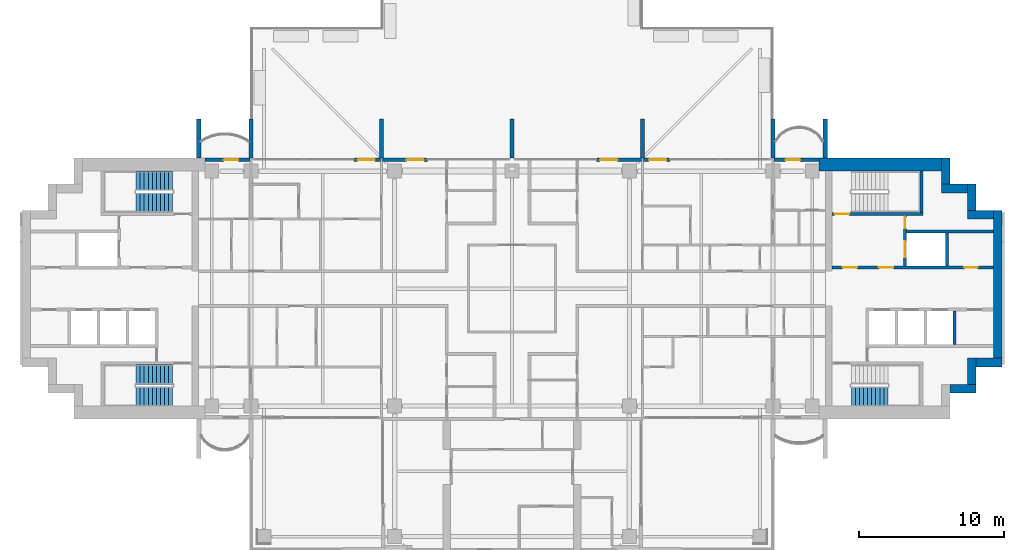
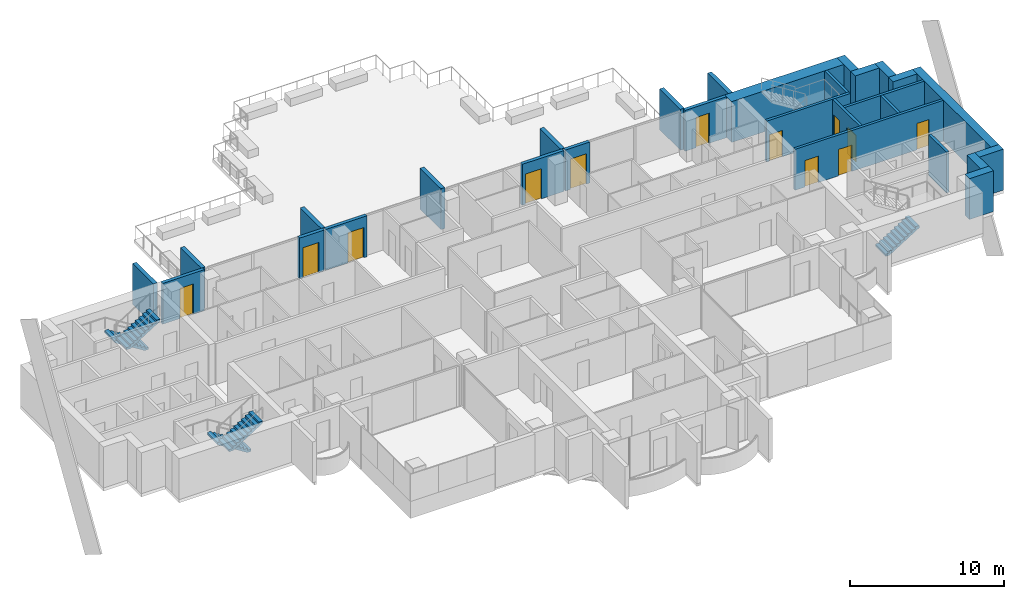
# One storey, part 13 of 18: 29 walls, 12 doors, 5 stair flights, 12 openings, 3 elements without a shape of their own.
"""IFC4 building model written with IfcOpenShell, lengths in metres."""

from ifc_helpers import new_model, si_unit, direction, frame, frame_2d, origin, place, context, subcontext, project, spatial, polyline, rectangle, outline, extrude, material, layer, layer_set, type_object, element, fill, aggregate, save


model = new_model("IFC4")

# Units and contexts
model_context = context("Model", 3, precision=1e-05, world=origin(), true_north=direction((0.0, 1.0)))
body_context = subcontext(model_context, "Body", "Model", "MODEL_VIEW")
ifc_project = project(units=[si_unit("LENGTHUNIT", "METRE"), si_unit("AREAUNIT", "SQUARE_METRE"), si_unit("VOLUMEUNIT", "CUBIC_METRE"), si_unit("PLANEANGLEUNIT", "RADIAN"), si_unit("MASSUNIT", "GRAM", prefix="KILO")], contexts=[model_context])

# Site, building, storey
site_placement = place(None, origin())
site = spatial("IfcSite", under=ifc_project, at=site_placement, CompositionType="ELEMENT")
building_placement = place(site_placement, origin())
building = spatial("IfcBuilding", under=site, at=building_placement, Name="Perihelion Cross Residences", CompositionType="ELEMENT")
storey_placement = place(building_placement, frame((0.0, 0.0, 166.60009765625)))
storey = spatial("IfcBuildingStorey", under=building, at=storey_placement, Name="L40", CompositionType="ELEMENT", Elevation=166.60009765625)

# Wall, opening, door
ifc_material_1 = material(Name="Concrete C30/37, bronze-clad", Category="concrete")
ifc_layer_1 = layer(ifc_material_1, 0.25)
ifc_layer_set_1 = layer_set([ifc_layer_1], Name="Bronze-clad pier wall 250")
wall_type_1 = type_object("IfcWallType", Name="Bronze-clad pier wall 250", PredefinedType="SOLIDWALL", material=ifc_layer_set_1)
wall_1_placement = place(storey_placement, frame((21.175048828125, 8.875, 0.0), z_axis=(0.0, 0.0, 1.0), x_axis=(-1.0, 0.0, 0.0)))
wall_1 = element("IfcWall", 1, at=wall_1_placement, inside=storey, type_object=wall_type_1, Name="Wall FW1 L40 east side north bay 1 pier", PredefinedType="SOLIDWALL", context=body_context, shape_type="SweptSolid", body=[
    extrude(rectangle(XDim=3.114990234375, YDim=0.25, at=frame_2d((1.5576171875, 0.0))), origin(), (0.0, 0.0, 1.0), 3.25),
])
opening_1_placement = place(wall_1_placement, frame((1.300048828125, 0.0, 0.0)))
opening_1 = element("IfcOpeningElement", 2, at=opening_1_placement, cuts=wall_1, Name="Opening L40.E01", PredefinedType="OPENING", context=body_context, shape_type="SweptSolid", body=[
    extrude(rectangle(XDim=1.0, YDim=2.39990234375, at=frame_2d((0.5, 1.199951171875))), frame((0.0, 0.135009765625, 0.0), z_axis=(0.0, -1.0, 0.0), x_axis=(1.0, 0.0, 0.0)), (0.0, 0.0, 1.0), 0.27001953125),
])
ifc_material_2 = material(Name="Bronze anodised aluminium, glazed", Category="aluminium")
door_type_1 = type_object("IfcDoorType", Name="Balcony door 1000 x 2400", OperationType="NOTDEFINED", PredefinedType="DOOR", material=ifc_material_2)
door_1_placement = place(opening_1_placement, origin())
door_1 = element("IfcDoor", 3, at=door_1_placement, inside=storey, type_object=door_type_1, Name="Door L40.E01 east side north bay 1", OperationType="SINGLE_SWING_LEFT", OverallHeight=2.39990234375, OverallWidth=1.0, PredefinedType="DOOR", context=body_context, shape_type="SweptSolid", body=[
    extrude(rectangle(XDim=1.0, YDim=2.39990234375, at=frame_2d((0.5, 1.199951171875))), frame((0.0, 0.02490234375, 0.0), z_axis=(0.0, -1.0, 0.0), x_axis=(1.0, 0.0, 0.0)), (0.0, 0.0, 1.0), 0.050048828125),
])
fill(opening_1, door_1)

wall_2_placement = place(storey_placement, frame((10.89990234375, 8.875, 0.0), z_axis=(0.0, 0.0, 1.0), x_axis=(-1.0, 0.0, 0.0)))
wall_2 = element("IfcWall", 4, at=wall_2_placement, inside=storey, type_object=wall_type_1, Name="Wall FW1 L40 east side north bay 2 pier", PredefinedType="SOLIDWALL", context=body_context, shape_type="SweptSolid", body=[
    extrude(rectangle(XDim=1.83984375, YDim=0.25, at=frame_2d((0.919921875, 0.0))), origin(), (0.0, 0.0, 1.0), 3.25),
])
opening_2_placement = place(wall_2_placement, frame((0.25, 0.0, 0.0)))
opening_2 = element("IfcOpeningElement", 5, at=opening_2_placement, cuts=wall_2, Name="Opening L40.E02", PredefinedType="OPENING", context=body_context, shape_type="SweptSolid", body=[
    extrude(rectangle(XDim=1.199951171875, YDim=2.39990234375, at=frame_2d((0.60009765625, 1.199951171875))), frame((0.0, 0.135009765625, 0.0), z_axis=(0.0, -1.0, 0.0), x_axis=(1.0, 0.0, 0.0)), (0.0, 0.0, 1.0), 0.27001953125),
])
ifc_material_3 = material(Name="Bronze anodised aluminium, glazed", Category="aluminium")
door_type_2 = type_object("IfcDoorType", Name="Balcony door 1200 x 2400", OperationType="NOTDEFINED", PredefinedType="DOOR", material=ifc_material_3)
door_2_placement = place(opening_2_placement, origin())
door_2 = element("IfcDoor", 6, at=door_2_placement, inside=storey, type_object=door_type_2, Name="Door L40.E02 east side north bay 2", OperationType="SINGLE_SWING_RIGHT", OverallHeight=2.39990234375, OverallWidth=1.199951171875, PredefinedType="DOOR", context=body_context, shape_type="SweptSolid", body=[
    extrude(rectangle(XDim=1.199951171875, YDim=2.39990234375, at=frame_2d((0.60009765625, 1.199951171875))), frame((0.0, 0.02490234375, 0.0), z_axis=(0.0, -1.0, 0.0), x_axis=(1.0, 0.0, 0.0)), (0.0, 0.0, 1.0), 0.050048828125),
])
fill(opening_2, door_2)

wall_3_placement = place(storey_placement, frame((8.93994140625, 8.875, 0.0), z_axis=(0.0, 0.0, 1.0), x_axis=(-1.0, 0.0, 0.0)))
wall_3 = element("IfcWall", 7, at=wall_3_placement, inside=storey, type_object=wall_type_1, Name="Wall FW1 L40 north side east bay 1 pier", PredefinedType="SOLIDWALL", context=body_context, shape_type="SweptSolid", body=[
    extrude(rectangle(XDim=3.114990234375, YDim=0.25, at=frame_2d((1.5576171875, 0.0))), origin(), (0.0, 0.0, 1.0), 3.25),
])
opening_3_placement = place(wall_3_placement, frame((1.6650390625, 0.0, 0.0)))
opening_3 = element("IfcOpeningElement", 8, at=opening_3_placement, cuts=wall_3, Name="Opening L40.E03", PredefinedType="OPENING", context=body_context, shape_type="SweptSolid", body=[
    extrude(rectangle(XDim=1.199951171875, YDim=2.39990234375, at=frame_2d((0.60009765625, 1.199951171875))), frame((0.0, 0.135009765625, 0.0), z_axis=(0.0, -1.0, 0.0), x_axis=(1.0, 0.0, 0.0)), (0.0, 0.0, 1.0), 0.27001953125),
])
door_3_placement = place(opening_3_placement, origin())
door_3 = element("IfcDoor", 9, at=door_3_placement, inside=storey, type_object=door_type_2, Name="Door L40.E03 north side east bay 1", OperationType="SINGLE_SWING_LEFT", OverallHeight=2.39990234375, OverallWidth=1.199951171875, PredefinedType="DOOR", context=body_context, shape_type="SweptSolid", body=[
    extrude(rectangle(XDim=1.199951171875, YDim=2.39990234375, at=frame_2d((0.60009765625, 1.199951171875))), frame((0.0, 0.02490234375, 0.0), z_axis=(0.0, -1.0, 0.0), x_axis=(1.0, 0.0, 0.0)), (0.0, 0.0, 1.0), 0.050048828125),
])
fill(opening_3, door_3)

wall_4_placement = place(storey_placement, frame((-5.824951171875, 8.875, 0.0), z_axis=(0.0, 0.0, 1.0), x_axis=(-1.0, 0.0, 0.0)))
wall_4 = element("IfcWall", 10, at=wall_4_placement, inside=storey, type_object=wall_type_1, Name="Wall FW1 L40 north side east bay 2 pier", PredefinedType="SOLIDWALL", context=body_context, shape_type="SweptSolid", body=[
    extrude(rectangle(XDim=3.114990234375, YDim=0.25, at=frame_2d((1.5576171875, 0.0))), origin(), (0.0, 0.0, 1.0), 3.25),
])
opening_4_placement = place(wall_4_placement, frame((0.25, 0.0, 0.0)))
opening_4 = element("IfcOpeningElement", 11, at=opening_4_placement, cuts=wall_4, Name="Opening L40.E04", PredefinedType="OPENING", context=body_context, shape_type="SweptSolid", body=[
    extrude(rectangle(XDim=1.199951171875, YDim=2.39990234375, at=frame_2d((0.60009765625, 1.199951171875))), frame((0.0, 0.135009765625, 0.0), z_axis=(0.0, -1.0, 0.0), x_axis=(1.0, 0.0, 0.0)), (0.0, 0.0, 1.0), 0.27001953125),
])
door_4_placement = place(opening_4_placement, origin())
door_4 = element("IfcDoor", 12, at=door_4_placement, inside=storey, type_object=door_type_2, Name="Door L40.E04 north side east bay 2", OperationType="SINGLE_SWING_RIGHT", OverallHeight=2.39990234375, OverallWidth=1.199951171875, PredefinedType="DOOR", context=body_context, shape_type="SweptSolid", body=[
    extrude(rectangle(XDim=1.199951171875, YDim=2.39990234375, at=frame_2d((0.60009765625, 1.199951171875))), frame((0.0, 0.02490234375, 0.0), z_axis=(0.0, -1.0, 0.0), x_axis=(1.0, 0.0, 0.0)), (0.0, 0.0, 1.0), 0.050048828125),
])
fill(opening_4, door_4)

wall_5_placement = place(storey_placement, frame((-9.06005859375, 8.875, 0.0), z_axis=(0.0, 0.0, 1.0), x_axis=(-1.0, 0.0, 0.0)))
wall_5 = element("IfcWall", 13, at=wall_5_placement, inside=storey, type_object=wall_type_1, Name="Wall FW1 L40 west side north bay 1 pier", PredefinedType="SOLIDWALL", context=body_context, shape_type="SweptSolid", body=[
    extrude(rectangle(XDim=1.83984375, YDim=0.25, at=frame_2d((0.919921875, 0.0))), origin(), (0.0, 0.0, 1.0), 3.25),
])
opening_5_placement = place(wall_5_placement, frame((0.389892578125, 0.0, 0.0)))
opening_5 = element("IfcOpeningElement", 14, at=opening_5_placement, cuts=wall_5, Name="Opening L40.E05", PredefinedType="OPENING", context=body_context, shape_type="SweptSolid", body=[
    extrude(rectangle(XDim=1.199951171875, YDim=2.39990234375, at=frame_2d((0.60009765625, 1.199951171875))), frame((0.0, 0.135009765625, 0.0), z_axis=(0.0, -1.0, 0.0), x_axis=(1.0, 0.0, 0.0)), (0.0, 0.0, 1.0), 0.27001953125),
])
door_5_placement = place(opening_5_placement, origin())
door_5 = element("IfcDoor", 15, at=door_5_placement, inside=storey, type_object=door_type_2, Name="Door L40.E05 west side north bay 1", OperationType="SINGLE_SWING_LEFT", OverallHeight=2.39990234375, OverallWidth=1.199951171875, PredefinedType="DOOR", context=body_context, shape_type="SweptSolid", body=[
    extrude(rectangle(XDim=1.199951171875, YDim=2.39990234375, at=frame_2d((0.60009765625, 1.199951171875))), frame((0.0, 0.02490234375, 0.0), z_axis=(0.0, -1.0, 0.0), x_axis=(1.0, 0.0, 0.0)), (0.0, 0.0, 1.0), 0.050048828125),
])
fill(opening_5, door_5)

wall_6_placement = place(storey_placement, frame((-18.06005859375, 8.875, 0.0), z_axis=(0.0, 0.0, 1.0), x_axis=(-1.0, 0.0, 0.0)))
wall_6 = element("IfcWall", 16, at=wall_6_placement, inside=storey, type_object=wall_type_1, Name="Wall FW1 L40 west side north bay 2 pier", PredefinedType="SOLIDWALL", context=body_context, shape_type="SweptSolid", body=[
    extrude(rectangle(XDim=3.114990234375, YDim=0.25, at=frame_2d((1.5576171875, 0.0))), origin(), (0.0, 0.0, 1.0), 3.25),
])
opening_6_placement = place(wall_6_placement, frame((0.81494140625, 0.0, 0.0)))
opening_6 = element("IfcOpeningElement", 17, at=opening_6_placement, cuts=wall_6, Name="Opening L40.E06", PredefinedType="OPENING", context=body_context, shape_type="SweptSolid", body=[
    extrude(rectangle(XDim=1.0, YDim=2.39990234375, at=frame_2d((0.5, 1.199951171875))), frame((0.0, 0.135009765625, 0.0), z_axis=(0.0, -1.0, 0.0), x_axis=(1.0, 0.0, 0.0)), (0.0, 0.0, 1.0), 0.27001953125),
])
door_6_placement = place(opening_6_placement, origin())
door_6 = element("IfcDoor", 18, at=door_6_placement, inside=storey, type_object=door_type_1, Name="Door L40.E06 west side north bay 2", OperationType="SINGLE_SWING_RIGHT", OverallHeight=2.39990234375, OverallWidth=1.0, PredefinedType="DOOR", context=body_context, shape_type="SweptSolid", body=[
    extrude(rectangle(XDim=1.0, YDim=2.39990234375, at=frame_2d((0.5, 1.199951171875))), frame((0.0, 0.02490234375, 0.0), z_axis=(0.0, -1.0, 0.0), x_axis=(1.0, 0.0, 0.0)), (0.0, 0.0, 1.0), 0.050048828125),
])
fill(opening_6, door_6)

# Walls
ifc_material_4 = material(Name="Concrete C60/75", Category="concrete")
ifc_layer_2 = layer(ifc_material_4, 0.60009765625)
ifc_layer_set_2 = layer_set([ifc_layer_2], Name="Core wall, outer 600")
wall_type_2 = type_object("IfcWallType", Name="Core wall, outer 600", PredefinedType="SHEAR", material=ifc_layer_set_2)
for number, where, z_axis, x_axis, name in (
    (19, (30.199951171875, -6.89990234375, 0.0), (0.0, 0.0, 1.0), (1.0, 0.0, 0.0), "East core core wall, outer"),
    (20, (31.699951171875, -6.60009765625, 0.0), (0.0, 0.0, 1.0), (0.0, 1.0, 0.0), "East core core wall, outer"),
    (21, (32.0, -5.10009765625, 0.0), (0.0, 0.0, 1.0), (1.0, 0.0, 0.0), "East core core wall, outer"),
):
    element("IfcWall", number, at=place(storey_placement, frame(where, z_axis=z_axis, x_axis=x_axis)), inside=storey, type_object=wall_type_2, Name=name, PredefinedType="SHEAR", context=body_context, shape_type="SweptSolid", body=[
        extrude(rectangle(XDim=1.800048828125, YDim=0.60009765625, at=frame_2d((0.89990234375, 0.0))), origin(), (0.0, 0.0, 1.0), 3.25),
    ])
wall_7_placement = place(storey_placement, frame((33.5, -4.800048828125, 0.0), z_axis=(0.0, 0.0, 1.0), x_axis=(0.0, 1.0, 0.0)))
element("IfcWall", 22, at=wall_7_placement, inside=storey, type_object=wall_type_2, Name="East core core wall, outer", PredefinedType="SHEAR", context=body_context, shape_type="SweptSolid", body=[
    extrude(rectangle(XDim=10.199951171875, YDim=0.60009765625, at=frame_2d((5.10009765625, 0.0))), origin(), (0.0, 0.0, 1.0), 3.25),
])
for number, where, z_axis, x_axis, name in (
    (23, (31.39990234375, 5.10009765625, 0.0), (0.0, 0.0, 1.0), (1.0, 0.0, 0.0), "East core core wall, outer"),
    (24, (31.699951171875, 5.39990234375, 0.0), (0.0, 0.0, 1.0), (0.0, 1.0, 0.0), "East core core wall, outer"),
):
    element("IfcWall", number, at=place(storey_placement, frame(where, z_axis=z_axis, x_axis=x_axis)), inside=storey, type_object=wall_type_2, Name=name, PredefinedType="SHEAR", context=body_context, shape_type="SweptSolid", body=[
        extrude(rectangle(XDim=1.800048828125, YDim=0.60009765625, at=frame_2d((0.89990234375, 0.0))), origin(), (0.0, 0.0, 1.0), 3.25),
    ])
wall_8_placement = place(storey_placement, frame((29.60009765625, 6.89990234375, 0.0), z_axis=(0.0, 0.0, 1.0), x_axis=(1.0, 0.0, 0.0)))
element("IfcWall", 25, at=wall_8_placement, inside=storey, type_object=wall_type_2, Name="East core core wall, outer", PredefinedType="SHEAR", context=body_context, shape_type="SweptSolid", body=[
    extrude(rectangle(XDim=1.7998046875, YDim=0.60009765625, at=frame_2d((0.89990234375, 0.0))), origin(), (0.0, 0.0, 1.0), 3.25),
])
wall_9_placement = place(storey_placement, frame((29.89990234375, 7.199951171875, 0.0), z_axis=(0.0, 0.0, 1.0), x_axis=(0.0, 1.0, 0.0)))
element("IfcWall", 26, at=wall_9_placement, inside=storey, type_object=wall_type_2, Name="East core core wall, outer", PredefinedType="SHEAR", context=body_context, shape_type="SweptSolid", body=[
    extrude(rectangle(XDim=1.800048828125, YDim=0.60009765625, at=frame_2d((0.89990234375, 0.0))), origin(), (0.0, 0.0, 1.0), 3.25),
])
ifc_material_5 = material(Name="Concrete C60/75", Category="concrete")
ifc_layer_3 = layer(ifc_material_5, 0.89990234375)
ifc_layer_set_3 = layer_set([ifc_layer_3], Name="Core wall, outer 900")
wall_type_3 = type_object("IfcWallType", Name="Core wall, outer 900", PredefinedType="SHEAR", material=ifc_layer_set_3)
wall_10_placement = place(storey_placement, frame((21.175048828125, 8.550048828125, 0.0), z_axis=(0.0, 0.0, 1.0), x_axis=(1.0, 0.0, 0.0)))
element("IfcWall", 27, at=wall_10_placement, inside=storey, type_object=wall_type_3, Name="East core core wall, outer", PredefinedType="SHEAR", context=body_context, shape_type="SweptSolid", body=[
    extrude(rectangle(XDim=8.425048828125, YDim=0.89990234375, at=frame_2d((4.21240234375, 0.0))), origin(), (0.0, 0.0, 1.0), 3.25),
])
ifc_material_6 = material(Name="Precast concrete C50/60", Category="concrete")
ifc_layer_4 = layer(ifc_material_6, 0.300048828125)
ifc_layer_set_4 = layer_set([ifc_layer_4], Name="Precast concrete C50/60 blade wall 300")
wall_type_4 = type_object("IfcWallType", Name="Precast concrete C50/60 blade wall 300", PredefinedType="SOLIDWALL", material=ifc_layer_set_4)
for number, where, z_axis, x_axis, name in (
    (28, (-21.60009765625, 9.0, 0.0), (0.0, 0.0, 1.0), (0.0, 1.0, 0.0), "Wall BL1 L40 no. 4"),
    (29, (-18.0, 9.0, 0.0), (0.0, 0.0, 1.0), (0.0, 1.0, 0.0), "Wall BL1 L40 no. 2"),
    (30, (-9.0, 9.0, 0.0), (0.0, 0.0, 1.0), (0.0, 1.0, 0.0), "Wall BL1 L40 no. 7"),
    (31, (0.0, 9.0, 0.0), (0.0, 0.0, 1.0), (0.0, 1.0, 0.0), "Wall BL1 L40 no. 9"),
    (32, (9.0, 9.0, 0.0), (0.0, 0.0, 1.0), (0.0, 1.0, 0.0), "Wall BL1 L40 no. 16"),
    (33, (18.0, 9.0, 0.0), (0.0, 0.0, 1.0), (0.0, 1.0, 0.0), "Wall BL1 L40 no. 11"),
    (34, (21.60009765625, 9.0, 0.0), (0.0, 0.0, 1.0), (0.0, 1.0, 0.0), "Wall BL1 L40 no. 13"),
):
    element("IfcWall", number, at=place(storey_placement, frame(where, z_axis=z_axis, x_axis=x_axis)), inside=storey, type_object=wall_type_4, Name=name, PredefinedType="SOLIDWALL", context=body_context, shape_type="SweptSolid", body=[
        extrude(rectangle(XDim=2.699951171875, YDim=0.300048828125, at=frame_2d((1.35009765625, 0.0))), origin(), (0.0, 0.0, 1.0), 3.25),
    ])

# Wall, openings, doors
ifc_material_7 = material(Name="Concrete C50/60", Category="concrete")
ifc_layer_5 = layer(ifc_material_7, 0.199951171875)
ifc_layer_set_5 = layer_set([ifc_layer_5], Name="Shaft wall 200")
wall_type_5 = type_object("IfcWallType", Name="Shaft wall 200", PredefinedType="SOLIDWALL", material=ifc_layer_set_5)
wall_11_placement = place(storey_placement, frame((22.050048828125, 1.449951171875, 0.0), z_axis=(0.0, 0.0, 1.0), x_axis=(1.0, 0.0, 0.0)))
wall_11 = element("IfcWall", 35, at=wall_11_placement, inside=storey, type_object=wall_type_5, Name="East core shaft wall", PredefinedType="SOLIDWALL", context=body_context, shape_type="SweptSolid", body=[
    extrude(rectangle(XDim=11.14990234375, YDim=0.199951171875, at=frame_2d((5.574951171875, 0.0))), origin(), (0.0, 0.0, 1.0), 3.25),
])
opening_7_placement = place(wall_11_placement, frame((0.75, 0.0, 0.0)))
opening_7 = element("IfcOpeningElement", 36, at=opening_7_placement, cuts=wall_11, Name="Opening L40.C07", PredefinedType="OPENING", context=body_context, shape_type="SweptSolid", body=[
    extrude(rectangle(XDim=1.0, YDim=2.10009765625, at=frame_2d((0.5, 1.050048828125))), frame((0.0, 0.10986328125, 0.0), z_axis=(0.0, -1.0, 0.0), x_axis=(1.0, 0.0, 0.0)), (0.0, 0.0, 1.0), 0.219970703125),
])
opening_8_placement = place(wall_11_placement, frame((3.25, 0.0, 0.0)))
opening_8 = element("IfcOpeningElement", 37, at=opening_8_placement, cuts=wall_11, Name="Opening L40.C09", PredefinedType="OPENING", context=body_context, shape_type="SweptSolid", body=[
    extrude(rectangle(XDim=1.0, YDim=2.10009765625, at=frame_2d((0.5, 1.050048828125))), frame((0.0, 0.10986328125, 0.0), z_axis=(0.0, -1.0, 0.0), x_axis=(1.0, 0.0, 0.0)), (0.0, 0.0, 1.0), 0.219970703125),
])
opening_9_placement = place(wall_11_placement, frame((9.14990234375, 0.0, 0.0)))
opening_9 = element("IfcOpeningElement", 38, at=opening_9_placement, cuts=wall_11, Name="Opening L40.C11", PredefinedType="OPENING", context=body_context, shape_type="SweptSolid", body=[
    extrude(rectangle(XDim=0.89990234375, YDim=2.10009765625, at=frame_2d((0.449951171875, 1.050048828125))), frame((0.0, 0.10986328125, 0.0), z_axis=(0.0, -1.0, 0.0), x_axis=(1.0, 0.0, 0.0)), (0.0, 0.0, 1.0), 0.219970703125),
])
ifc_material_8 = material(Name="Steel, powder coated", Category="steel")
door_type_3 = type_object("IfcDoorType", Name="Lobby door 1000", OperationType="SINGLE_SWING_LEFT", PredefinedType="DOOR", material=ifc_material_8)
door_7_placement = place(opening_7_placement, origin())
door_7 = element("IfcDoor", 39, at=door_7_placement, inside=storey, type_object=door_type_3, Name="East core firefighting lobby door", OperationType="SINGLE_SWING_LEFT", OverallHeight=2.10009765625, OverallWidth=1.0, PredefinedType="DOOR", context=body_context, shape_type="SweptSolid", body=[
    extrude(rectangle(XDim=1.0, YDim=2.10009765625, at=frame_2d((0.5, 1.050048828125))), frame((0.0, 0.02490234375, 0.0), z_axis=(0.0, -1.0, 0.0), x_axis=(1.0, 0.0, 0.0)), (0.0, 0.0, 1.0), 0.050048828125),
])
fill(opening_7, door_7)
door_8_placement = place(opening_8_placement, origin())
door_8 = element("IfcDoor", 40, at=door_8_placement, inside=storey, type_object=door_type_3, Name="East core firefighting lobby door", OperationType="SINGLE_SWING_LEFT", OverallHeight=2.10009765625, OverallWidth=1.0, PredefinedType="DOOR", context=body_context, shape_type="SweptSolid", body=[
    extrude(rectangle(XDim=1.0, YDim=2.10009765625, at=frame_2d((0.5, 1.050048828125))), frame((0.0, 0.02490234375, 0.0), z_axis=(0.0, -1.0, 0.0), x_axis=(1.0, 0.0, 0.0)), (0.0, 0.0, 1.0), 0.050048828125),
])
fill(opening_8, door_8)
ifc_material_9 = material(Name="Steel, powder coated", Category="steel")
door_type_4 = type_object("IfcDoorType", Name="Service room door 900", OperationType="SINGLE_SWING_LEFT", PredefinedType="DOOR", material=ifc_material_9)
door_9_placement = place(opening_9_placement, origin())
door_9 = element("IfcDoor", 41, at=door_9_placement, inside=storey, type_object=door_type_4, Name="East core service room door", OperationType="SINGLE_SWING_LEFT", OverallHeight=2.10009765625, OverallWidth=0.89990234375, PredefinedType="DOOR", context=body_context, shape_type="SweptSolid", body=[
    extrude(rectangle(XDim=0.89990234375, YDim=2.10009765625, at=frame_2d((0.449951171875, 1.050048828125))), frame((0.0, 0.02490234375, 0.0), z_axis=(0.0, -1.0, 0.0), x_axis=(1.0, 0.0, 0.0)), (0.0, 0.0, 1.0), 0.050048828125),
])
fill(opening_9, door_9)

# Wall
wall_12_placement = place(storey_placement, frame((27.199951171875, 3.949951171875, 0.0), z_axis=(0.0, 0.0, 1.0), x_axis=(1.0, 0.0, 0.0)))
element("IfcWall", 42, at=wall_12_placement, inside=storey, type_object=wall_type_5, Name="East core shaft wall", PredefinedType="SOLIDWALL", context=body_context, shape_type="SweptSolid", body=[
    extrude(rectangle(XDim=6.0, YDim=0.199951171875, at=frame_2d((3.0, 0.0))), origin(), (0.0, 0.0, 1.0), 3.25),
])

# Wall, openings, doors
wall_13_placement = place(storey_placement, frame((27.10009765625, 1.550048828125, 0.0), z_axis=(0.0, 0.0, 1.0), x_axis=(0.0, 1.0, 0.0)))
wall_13 = element("IfcWall", 43, at=wall_13_placement, inside=storey, type_object=wall_type_5, Name="East core shaft wall", PredefinedType="SOLIDWALL", context=body_context, shape_type="SweptSolid", body=[
    extrude(rectangle(XDim=3.5, YDim=0.199951171875, at=frame_2d((1.75, 0.0))), origin(), (0.0, 0.0, 1.0), 3.25),
])
opening_10_placement = place(wall_13_placement, frame((0.60009765625, 0.0, 0.0)))
opening_10 = element("IfcOpeningElement", 44, at=opening_10_placement, cuts=wall_13, Name="Opening L40.C02", PredefinedType="OPENING", context=body_context, shape_type="SweptSolid", body=[
    extrude(rectangle(XDim=1.10009765625, YDim=2.10009765625, at=frame_2d((0.550048828125, 1.050048828125))), frame((0.0, 0.10986328125, 0.0), z_axis=(0.0, -1.0, 0.0), x_axis=(1.0, 0.0, 0.0)), (0.0, 0.0, 1.0), 0.219970703125),
])
opening_11_placement = place(wall_13_placement, frame((2.60009765625, 0.0, 0.0)))
opening_11 = element("IfcOpeningElement", 45, at=opening_11_placement, cuts=wall_13, Name="Opening L40.C10", PredefinedType="OPENING", context=body_context, shape_type="SweptSolid", body=[
    extrude(rectangle(XDim=0.800048828125, YDim=2.10009765625, at=frame_2d((0.39990234375, 1.050048828125))), frame((0.0, 0.10986328125, 0.0), z_axis=(0.0, -1.0, 0.0), x_axis=(1.0, 0.0, 0.0)), (0.0, 0.0, 1.0), 0.219970703125),
])
ifc_material_10 = material(Name="Stainless steel", Category="steel")
door_type_5 = type_object("IfcDoorType", Name="Landing door, firefighting lift 1100", OperationType="DOUBLE_DOOR_SLIDING", PredefinedType="DOOR", material=ifc_material_10)
door_10_placement = place(opening_10_placement, origin())
door_10 = element("IfcDoor", 46, at=door_10_placement, inside=storey, type_object=door_type_5, Name="Landing door, East core firefighting and service lift", OperationType="DOUBLE_DOOR_SLIDING", OverallHeight=2.10009765625, OverallWidth=1.10009765625, PredefinedType="DOOR", context=body_context, shape_type="SweptSolid", body=[
    extrude(rectangle(XDim=1.10009765625, YDim=2.10009765625, at=frame_2d((0.550048828125, 1.050048828125))), frame((0.0, 0.02490234375, 0.0), z_axis=(0.0, -1.0, 0.0), x_axis=(1.0, 0.0, 0.0)), (0.0, 0.0, 1.0), 0.050048828125),
])
fill(opening_10, door_10)
ifc_material_11 = material(Name="Steel, powder coated", Category="steel")
door_type_6 = type_object("IfcDoorType", Name="Riser door 800", OperationType="SINGLE_SWING_LEFT", PredefinedType="DOOR", material=ifc_material_11)
door_11_placement = place(opening_11_placement, origin())
door_11 = element("IfcDoor", 47, at=door_11_placement, inside=storey, type_object=door_type_6, Name="East core riser door", OperationType="SINGLE_SWING_LEFT", OverallHeight=2.10009765625, OverallWidth=0.800048828125, PredefinedType="DOOR", context=body_context, shape_type="SweptSolid", body=[
    extrude(rectangle(XDim=0.800048828125, YDim=2.10009765625, at=frame_2d((0.39990234375, 1.050048828125))), frame((0.0, 0.02490234375, 0.0), z_axis=(0.0, -1.0, 0.0), x_axis=(1.0, 0.0, 0.0)), (0.0, 0.0, 1.0), 0.050048828125),
])
fill(opening_11, door_11)

# Walls
for number, where, z_axis, x_axis, name in (
    (48, (30.0, 1.550048828125, 0.0), (0.0, 0.0, 1.0), (0.0, 1.0, 0.0), "East core shaft wall"),
    (49, (30.5, -3.85009765625, 0.0), (0.0, 0.0, 1.0), (0.0, 1.0, 0.0), "East core shaft wall"),
):
    element("IfcWall", number, at=place(storey_placement, frame(where, z_axis=z_axis, x_axis=x_axis)), inside=storey, type_object=wall_type_5, Name=name, PredefinedType="SOLIDWALL", context=body_context, shape_type="SweptSolid", body=[
        extrude(rectangle(XDim=2.300048828125, YDim=0.199951171875, at=frame_2d((1.14990234375, 0.0))), origin(), (0.0, 0.0, 1.0), 3.25),
    ])

# Wall, opening, door
ifc_material_12 = material(Name="Concrete C50/60", Category="concrete")
ifc_layer_6 = layer(ifc_material_12, 0.199951171875)
ifc_layer_set_6 = layer_set([ifc_layer_6], Name="Stair wall 200")
wall_type_6 = type_object("IfcWallType", Name="Stair wall 200", PredefinedType="SOLIDWALL", material=ifc_layer_set_6)
wall_14_placement = place(storey_placement, frame((22.050048828125, 5.14990234375, 0.0), z_axis=(0.0, 0.0, 1.0), x_axis=(1.0, 0.0, 0.0)))
wall_14 = element("IfcWall", 50, at=wall_14_placement, inside=storey, type_object=wall_type_6, Name="East core stair wall", PredefinedType="SOLIDWALL", context=body_context, shape_type="SweptSolid", body=[
    extrude(rectangle(XDim=6.300048828125, YDim=0.199951171875, at=frame_2d((3.14990234375, 0.0))), origin(), (0.0, 0.0, 1.0), 3.25),
])
opening_12_placement = place(wall_14_placement, frame((0.199951171875, 0.0, 0.0)))
opening_12 = element("IfcOpeningElement", 51, at=opening_12_placement, cuts=wall_14, Name="Opening L40.C06", PredefinedType="OPENING", context=body_context, shape_type="SweptSolid", body=[
    extrude(rectangle(XDim=1.0, YDim=2.10009765625, at=frame_2d((0.5, 1.050048828125))), frame((0.0, 0.10986328125, 0.0), z_axis=(0.0, -1.0, 0.0), x_axis=(1.0, 0.0, 0.0)), (0.0, 0.0, 1.0), 0.219970703125),
])
ifc_material_13 = material(Name="Steel, powder coated", Category="steel")
door_type_7 = type_object("IfcDoorType", Name="Stair door 1000", OperationType="SINGLE_SWING_LEFT", PredefinedType="DOOR", material=ifc_material_13)
door_12_placement = place(opening_12_placement, origin())
door_12 = element("IfcDoor", 52, at=door_12_placement, inside=storey, type_object=door_type_7, Name="East core stair door", OperationType="SINGLE_SWING_LEFT", OverallHeight=2.10009765625, OverallWidth=1.0, PredefinedType="DOOR", context=body_context, shape_type="SweptSolid", body=[
    extrude(rectangle(XDim=1.0, YDim=2.10009765625, at=frame_2d((0.5, 1.050048828125))), frame((0.0, 0.02490234375, 0.0), z_axis=(0.0, -1.0, 0.0), x_axis=(1.0, 0.0, 0.0)), (0.0, 0.0, 1.0), 0.050048828125),
])
fill(opening_12, door_12)

# Wall
wall_15_placement = place(storey_placement, frame((28.25, 5.25, 0.0), z_axis=(0.0, 0.0, 1.0), x_axis=(0.0, 1.0, 0.0)))
element("IfcWall", 53, at=wall_15_placement, inside=storey, type_object=wall_type_6, Name="East core stair wall", PredefinedType="SOLIDWALL", context=body_context, shape_type="SweptSolid", body=[
    extrude(rectangle(XDim=2.85009765625, YDim=0.199951171875, at=frame_2d((1.425048828125, 0.0))), origin(), (0.0, 0.0, 1.0), 3.25),
])

# Stair, stair flight
ifc_material_14 = material(Name="Concrete C40/50", Category="concrete")
stair_type = type_object("IfcStairType", Name="Exit stair, half-turn", PredefinedType="HALF_TURN_STAIR", material=ifc_material_14)
stair_1_placement = place(storey_placement, origin())
stair_1 = element("IfcStair", 54, at=stair_1_placement, inside=storey, type_object=stair_type, Name="L40 East core exit stair 2", PredefinedType="HALF_TURN_STAIR")
ifc_material_15 = material(Name="Concrete C40/50", Category="concrete")
stair_flight_type = type_object("IfcStairFlightType", Name="Exit stair flight", PredefinedType="STRAIGHT", material=ifc_material_15)
stair_flight_1_placement = place(storey_placement, frame((23.39990234375, -7.425048828125, 0.0), z_axis=(0.0, 0.0, 1.0), x_axis=(1.0, 0.0, 0.0)))
stair_flight_1 = element("IfcStairFlight", 55, at=stair_flight_1_placement, type_object=stair_flight_type, Name="ST-E2 flight 1", NumberOfRisers=10, NumberOfTreads=9, PredefinedType="STRAIGHT", RiserHeight=0.175, TreadLength=0.28, context=body_context, shape_type="SweptSolid", body=[
    extrude(outline(polyline([(0.0, 0.0), (0.0, 0.175048828125), (0.280029296875, 0.175048828125), (0.280029296875, 0.35009765625), (0.56005859375, 0.35009765625), (0.56005859375, 0.52490234375), (0.840087890625, 0.52490234375), (0.840087890625, 0.699951171875), (1.1201171875, 0.699951171875), (1.1201171875, 0.875), (1.39990234375, 0.875), (1.39990234375, 1.050048828125), (1.679931640625, 1.050048828125), (1.679931640625, 1.22509765625), (1.9599609375, 1.22509765625), (1.9599609375, 1.39990234375), (2.239990234375, 1.39990234375), (2.239990234375, 1.574951171875), (2.52001953125, 1.574951171875), (2.52001953125, 1.75), (2.52001953125, 1.398193359375), (0.28271484375, 0.0), (0.0, 0.0)])), frame((0.0, 0.675048828125, 0.0), z_axis=(0.0, -1.0, 0.0), x_axis=(1.0, 0.0, 0.0)), (0.0, 0.0, 1.0), 1.35009765625),
])
aggregate(stair_1, [stair_flight_1])

# Stair, stair flights
stair_2_placement = place(storey_placement, origin())
stair_2 = element("IfcStair", 56, at=stair_2_placement, inside=storey, type_object=stair_type, Name="L40 West core exit stair 1", PredefinedType="HALF_TURN_STAIR")
stair_flight_2_placement = place(storey_placement, frame((-23.39990234375, 7.425048828125, 0.0), z_axis=(0.0, 0.0, 1.0), x_axis=(-1.0, 0.0, 0.0)))
stair_flight_2 = element("IfcStairFlight", 57, at=stair_flight_2_placement, type_object=stair_flight_type, Name="ST-W1 flight 1", NumberOfRisers=10, NumberOfTreads=9, PredefinedType="STRAIGHT", RiserHeight=0.175, TreadLength=0.28, context=body_context, shape_type="SweptSolid", body=[
    extrude(outline(polyline([(0.0, 0.0), (0.0, 0.175048828125), (0.280029296875, 0.175048828125), (0.280029296875, 0.35009765625), (0.56005859375, 0.35009765625), (0.56005859375, 0.52490234375), (0.840087890625, 0.52490234375), (0.840087890625, 0.699951171875), (1.1201171875, 0.699951171875), (1.1201171875, 0.875), (1.39990234375, 0.875), (1.39990234375, 1.050048828125), (1.679931640625, 1.050048828125), (1.679931640625, 1.22509765625), (1.9599609375, 1.22509765625), (1.9599609375, 1.39990234375), (2.239990234375, 1.39990234375), (2.239990234375, 1.574951171875), (2.52001953125, 1.574951171875), (2.52001953125, 1.75), (2.52001953125, 1.398193359375), (0.28271484375, 0.0), (0.0, 0.0)])), frame((0.0, 0.675048828125, 0.0), z_axis=(0.0, -1.0, 0.0), x_axis=(1.0, 0.0, 0.0)), (0.0, 0.0, 1.0), 1.35009765625),
])
stair_flight_3_placement = place(storey_placement, frame((-25.919921875, 5.925048828125, 1.75), z_axis=(0.0, 0.0, 1.0), x_axis=(1.0, 0.0, 0.0)))
stair_flight_3 = element("IfcStairFlight", 58, at=stair_flight_3_placement, type_object=stair_flight_type, Name="ST-W1 flight 2", NumberOfRisers=10, NumberOfTreads=9, PredefinedType="STRAIGHT", RiserHeight=0.175, TreadLength=0.28, context=body_context, shape_type="SweptSolid", body=[
    extrude(outline(polyline([(0.0, 0.0), (0.0, 0.175048828125), (0.280029296875, 0.175048828125), (0.280029296875, 0.35009765625), (0.56005859375, 0.35009765625), (0.56005859375, 0.52490234375), (0.840087890625, 0.52490234375), (0.840087890625, 0.699951171875), (1.1201171875, 0.699951171875), (1.1201171875, 0.875), (1.39990234375, 0.875), (1.39990234375, 1.050048828125), (1.679931640625, 1.050048828125), (1.679931640625, 1.22509765625), (1.9599609375, 1.22509765625), (1.9599609375, 1.39990234375), (2.239990234375, 1.39990234375), (2.239990234375, 1.574951171875), (2.52001953125, 1.574951171875), (2.52001953125, 1.75), (2.52001953125, 1.398193359375), (0.28271484375, 0.0), (0.0, 0.0)])), frame((0.0, 0.675048828125, 0.0), z_axis=(0.0, -1.0, 0.0), x_axis=(1.0, 0.0, 0.0)), (0.0, 0.0, 1.0), 1.35009765625),
])
aggregate(stair_2, [stair_flight_2, stair_flight_3])

stair_3_placement = place(storey_placement, origin())
stair_3 = element("IfcStair", 59, at=stair_3_placement, inside=storey, type_object=stair_type, Name="L40 West core exit stair 2", PredefinedType="HALF_TURN_STAIR")
stair_flight_4_placement = place(storey_placement, frame((-23.39990234375, -5.925048828125, 0.0), z_axis=(0.0, 0.0, 1.0), x_axis=(-1.0, 0.0, 0.0)))
stair_flight_4 = element("IfcStairFlight", 60, at=stair_flight_4_placement, type_object=stair_flight_type, Name="ST-W2 flight 1", NumberOfRisers=10, NumberOfTreads=9, PredefinedType="STRAIGHT", RiserHeight=0.175, TreadLength=0.28, context=body_context, shape_type="SweptSolid", body=[
    extrude(outline(polyline([(0.0, 0.0), (0.0, 0.175048828125), (0.280029296875, 0.175048828125), (0.280029296875, 0.35009765625), (0.56005859375, 0.35009765625), (0.56005859375, 0.52490234375), (0.840087890625, 0.52490234375), (0.840087890625, 0.699951171875), (1.1201171875, 0.699951171875), (1.1201171875, 0.875), (1.39990234375, 0.875), (1.39990234375, 1.050048828125), (1.679931640625, 1.050048828125), (1.679931640625, 1.22509765625), (1.9599609375, 1.22509765625), (1.9599609375, 1.39990234375), (2.239990234375, 1.39990234375), (2.239990234375, 1.574951171875), (2.52001953125, 1.574951171875), (2.52001953125, 1.75), (2.52001953125, 1.398193359375), (0.28271484375, 0.0), (0.0, 0.0)])), frame((0.0, 0.675048828125, 0.0), z_axis=(0.0, -1.0, 0.0), x_axis=(1.0, 0.0, 0.0)), (0.0, 0.0, 1.0), 1.35009765625),
])
stair_flight_5_placement = place(storey_placement, frame((-25.919921875, -7.425048828125, 1.75), z_axis=(0.0, 0.0, 1.0), x_axis=(1.0, 0.0, 0.0)))
stair_flight_5 = element("IfcStairFlight", 61, at=stair_flight_5_placement, type_object=stair_flight_type, Name="ST-W2 flight 2", NumberOfRisers=10, NumberOfTreads=9, PredefinedType="STRAIGHT", RiserHeight=0.175, TreadLength=0.28, context=body_context, shape_type="SweptSolid", body=[
    extrude(outline(polyline([(0.0, 0.0), (0.0, 0.175048828125), (0.280029296875, 0.175048828125), (0.280029296875, 0.35009765625), (0.56005859375, 0.35009765625), (0.56005859375, 0.52490234375), (0.840087890625, 0.52490234375), (0.840087890625, 0.699951171875), (1.1201171875, 0.699951171875), (1.1201171875, 0.875), (1.39990234375, 0.875), (1.39990234375, 1.050048828125), (1.679931640625, 1.050048828125), (1.679931640625, 1.22509765625), (1.9599609375, 1.22509765625), (1.9599609375, 1.39990234375), (2.239990234375, 1.39990234375), (2.239990234375, 1.574951171875), (2.52001953125, 1.574951171875), (2.52001953125, 1.75), (2.52001953125, 1.398193359375), (0.28271484375, 0.0), (0.0, 0.0)])), frame((0.0, 0.675048828125, 0.0), z_axis=(0.0, -1.0, 0.0), x_axis=(1.0, 0.0, 0.0)), (0.0, 0.0, 1.0), 1.35009765625),
])
aggregate(stair_3, [stair_flight_4, stair_flight_5])

save(model, "model.ifc")
